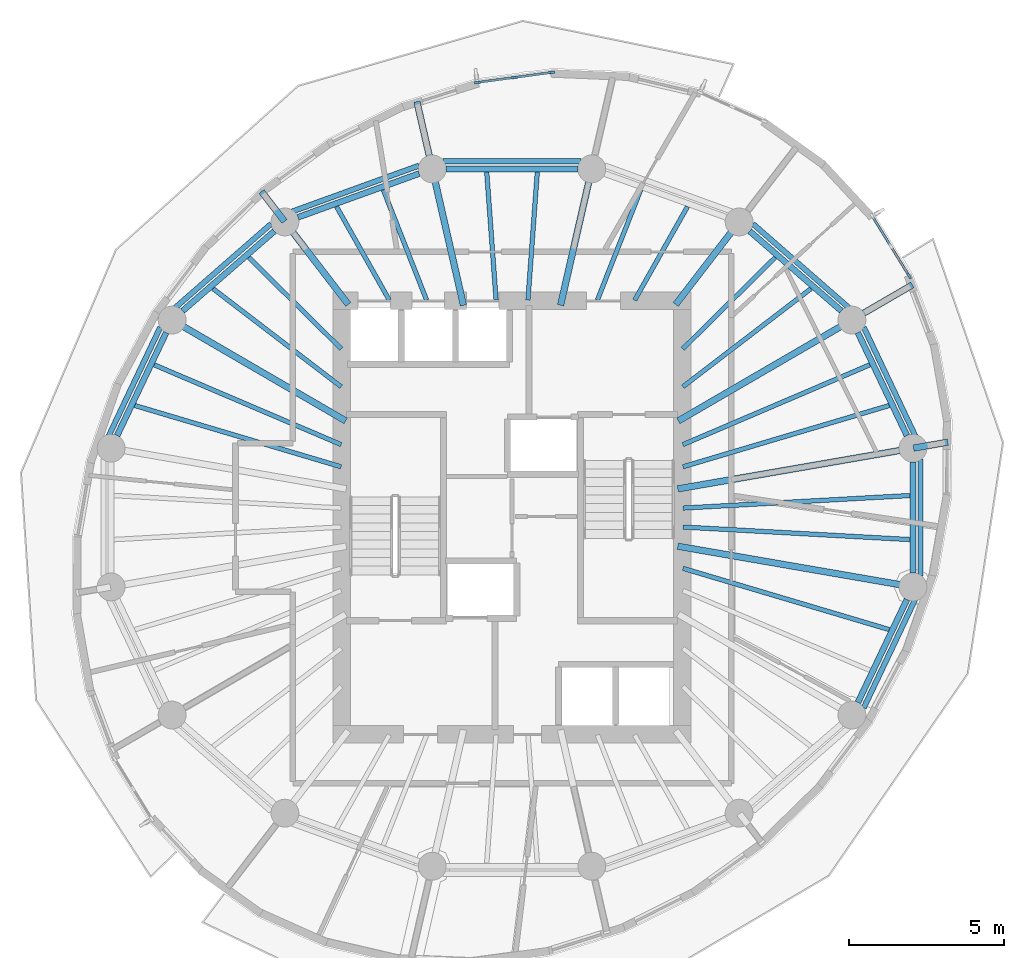
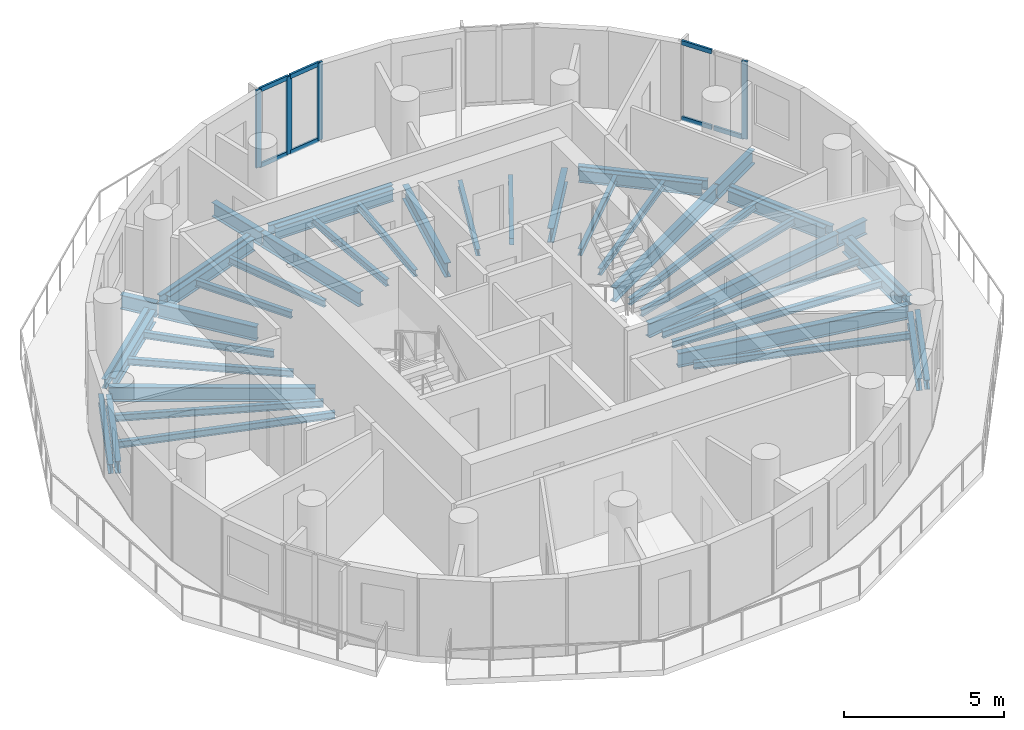
# One storey, part 2 of 10: 45 beams, 11 members, 2 elements without a shape of their own.
"""IFC4 building model written with IfcOpenShell, lengths in metres."""

from ifc_helpers import new_model, si_unit, direction, frame, origin, origin_2d, place, context, subcontext, project, spatial, rectangle, i_section, extrude, material, material_profile, profile_set, type_object, element, aggregate, save


model = new_model("IFC4")

# Units and contexts
model_context = context("Model", 3, precision=1e-05, world=origin(), true_north=direction((0.0, 1.0)))
body_context = subcontext(model_context, "Body", "Model", "MODEL_VIEW")
ifc_project = project(units=[si_unit("LENGTHUNIT", "METRE"), si_unit("AREAUNIT", "SQUARE_METRE"), si_unit("VOLUMEUNIT", "CUBIC_METRE"), si_unit("PLANEANGLEUNIT", "RADIAN"), si_unit("MASSUNIT", "GRAM", prefix="KILO")], contexts=[model_context])

# Site, building, storey
site_placement = place(None, origin())
site = spatial("IfcSite", under=ifc_project, at=site_placement, CompositionType="ELEMENT")
building_placement = place(site_placement, origin())
building = spatial("IfcBuilding", under=site, at=building_placement, Name="Veldorim Arch Residences", CompositionType="ELEMENT")
storey_placement = place(building_placement, frame((0.0, 0.0, 198.239990234375)))
storey = spatial("IfcBuildingStorey", under=building, at=storey_placement, Name="L59", CompositionType="ELEMENT", Elevation=198.239990234375)

# Beams
ifc_material_1 = material(Name="Steel S355", Category="steel")
ifc_material_profile_1 = material_profile(ifc_material_1, i_section(OverallWidth=0.2119140625, OverallDepth=0.54443359375, WebThickness=0.0126953125, FlangeThickness=0.021240234375, at=origin_2d()), Name="UB533x210x122")
ifc_profile_set_1 = profile_set([ifc_material_profile_1], Name="Steel S355")
beam_type_1 = type_object("IfcBeamType", Name="Structural Steel Beam UB533x210x122", PredefinedType="BEAM", material=ifc_profile_set_1)
beam_1_placement = place(storey_placement, frame((37.352294921875, 24.92578125, -0.51220703125), z_axis=(0.985364974081, 0.170457818401, 0.0), x_axis=(-0.170457818401, 0.985364974081, 0.0)))
element("IfcBeam", 1, at=beam_1_placement, inside=storey, type_object=beam_type_1, Name="L59 radial floor girder 01", PredefinedType="BEAM", context=body_context, shape_type="SweptSolid", body=[
    extrude(i_section(OverallWidth=0.2119140625, OverallDepth=0.54443359375, WebThickness=0.0126953125, FlangeThickness=0.021240234375, at=origin_2d()), origin(), (0.0, 0.0, 1.0), 7.68701171875),
])
beam_2_placement = place(storey_placement, frame((44.966064453125, 26.242919921875, -0.51220703125), z_axis=(0.985354711989, 0.170517129816, 0.0), x_axis=(-0.170517129816, 0.985354711989, 0.0)))
element("IfcBeam", 2, at=beam_2_placement, inside=storey, type_object=beam_type_1, Name="L59 radial edge cantilever girder 01", PredefinedType="BEAM", context=body_context, shape_type="SweptSolid", body=[
    extrude(i_section(OverallWidth=0.2119140625, OverallDepth=0.54443359375, WebThickness=0.0126953125, FlangeThickness=0.021240234375, at=origin_2d()), origin(), (0.0, 0.0, 1.0), 1.12548828125),
])
beam_3_placement = place(storey_placement, frame((37.370361328125, 27.12060546875, -0.51220703125), z_axis=(0.864595736304, 0.502468121142, 0.0), x_axis=(-0.502468121142, 0.864595736304, 0.0)))
element("IfcBeam", 3, at=beam_3_placement, inside=storey, type_object=beam_type_1, Name="L59 radial floor girder 02", PredefinedType="BEAM", context=body_context, shape_type="SweptSolid", body=[
    extrude(i_section(OverallWidth=0.2119140625, OverallDepth=0.54443359375, WebThickness=0.0126953125, FlangeThickness=0.021240234375, at=origin_2d()), origin(), (0.0, 0.0, 1.0), 6.462646484375),
])
beam_4_placement = place(storey_placement, frame((42.99267578125, 30.387939453125, -0.51220703125), z_axis=(0.86461626896, 0.502432788988, 0.0), x_axis=(-0.502432788988, 0.86461626896, 0.0)))
element("IfcBeam", 4, at=beam_4_placement, inside=storey, type_object=beam_type_1, Name="L59 radial edge cantilever girder 02", PredefinedType="BEAM", context=body_context, shape_type="SweptSolid", body=[
    extrude(i_section(OverallWidth=0.2119140625, OverallDepth=0.54443359375, WebThickness=0.0126953125, FlangeThickness=0.021240234375, at=origin_2d()), origin(), (0.0, 0.0, 1.0), 2.238525390625),
])
beam_5_placement = place(storey_placement, frame((37.28662109375, 30.881103515625, -0.51220703125), z_axis=(0.609258442308, 0.792971721108, 0.0), x_axis=(-0.792971721108, 0.609258442308, 0.0)))
element("IfcBeam", 5, at=beam_5_placement, inside=storey, type_object=beam_type_1, Name="L59 radial floor girder 03", PredefinedType="BEAM", context=body_context, shape_type="SweptSolid", body=[
    extrude(i_section(OverallWidth=0.2119140625, OverallDepth=0.54443359375, WebThickness=0.0126953125, FlangeThickness=0.021240234375, at=origin_2d()), origin(), (0.0, 0.0, 1.0), 3.339599609375),
])
for number, where, z_axis, x_axis, name in (
    (6, (33.567626953125, 30.853759765625, -0.51220703125), (0.222952976993, 0.97482920045, 0.0), (-0.97482920045, 0.222952976993, 0.0), "L59 radial floor girder 04"),
    (7, (30.432373046875, 30.853759765625, -0.51220703125), (-0.222952976993, 0.97482920045, 0.0), (-0.97482920045, -0.222952976993, 0.0), "L59 radial floor girder 05"),
):
    element("IfcBeam", number, at=place(storey_placement, frame(where, z_axis=z_axis, x_axis=x_axis)), inside=storey, type_object=beam_type_1, Name=name, PredefinedType="BEAM", context=body_context, shape_type="SweptSolid", body=[
        extrude(i_section(OverallWidth=0.2119140625, OverallDepth=0.54443359375, WebThickness=0.0126953125, FlangeThickness=0.021240234375, at=origin_2d()), origin(), (0.0, 0.0, 1.0), 4.49951171875),
    ])
beam_6_placement = place(storey_placement, frame((29.42041015625, 35.27880859375, -0.51220703125), z_axis=(-0.223010839713, 0.974815964872, 0.0), x_axis=(-0.974815964872, -0.223010839713, 0.0)))
element("IfcBeam", 8, at=beam_6_placement, inside=storey, type_object=beam_type_1, Name="L59 radial edge cantilever girder 05", PredefinedType="BEAM", context=body_context, shape_type="SweptSolid", body=[
    extrude(i_section(OverallWidth=0.2119140625, OverallDepth=0.54443359375, WebThickness=0.0126953125, FlangeThickness=0.021240234375, at=origin_2d()), origin(), (0.0, 0.0, 1.0), 2.209228515625),
])
beam_7_placement = place(storey_placement, frame((26.71337890625, 30.881103515625, -0.51220703125), z_axis=(-0.609258442308, 0.792971721108, 0.0), x_axis=(-0.792971721108, -0.609258442308, 0.0)))
element("IfcBeam", 9, at=beam_7_placement, inside=storey, type_object=beam_type_1, Name="L59 radial floor girder 06", PredefinedType="BEAM", context=body_context, shape_type="SweptSolid", body=[
    extrude(i_section(OverallWidth=0.2119140625, OverallDepth=0.54443359375, WebThickness=0.0126953125, FlangeThickness=0.021240234375, at=origin_2d()), origin(), (0.0, 0.0, 1.0), 3.339599609375),
])
beam_8_placement = place(storey_placement, frame((24.654296875, 33.561279296875, -0.51220703125), z_axis=(-0.609217205993, 0.793003402214, 0.0), x_axis=(-0.793003402214, -0.609217205993, 0.0)))
element("IfcBeam", 10, at=beam_8_placement, inside=storey, type_object=beam_type_1, Name="L59 radial edge cantilever girder 06", PredefinedType="BEAM", context=body_context, shape_type="SweptSolid", body=[
    extrude(i_section(OverallWidth=0.2119140625, OverallDepth=0.54443359375, WebThickness=0.0126953125, FlangeThickness=0.021240234375, at=origin_2d()), origin(), (0.0, 0.0, 1.0), 1.219482421875),
])
beam_9_placement = place(storey_placement, frame((26.629638671875, 27.12060546875, -0.51220703125), z_axis=(-0.864595736304, 0.502468121142, 0.0), x_axis=(-0.502468121142, -0.864595736304, 0.0)))
element("IfcBeam", 11, at=beam_9_placement, inside=storey, type_object=beam_type_1, Name="L59 radial floor girder 07", PredefinedType="BEAM", context=body_context, shape_type="SweptSolid", body=[
    extrude(i_section(OverallWidth=0.2119140625, OverallDepth=0.54443359375, WebThickness=0.0126953125, FlangeThickness=0.021240234375, at=origin_2d()), origin(), (0.0, 0.0, 1.0), 6.462646484375),
])
beam_10_placement = place(storey_placement, frame((37.352294921875, 23.07421875, -0.51220703125), z_axis=(0.985364974081, -0.170457818401, 0.0), x_axis=(0.170457818401, 0.985364974081, 0.0)))
element("IfcBeam", 12, at=beam_10_placement, inside=storey, type_object=beam_type_1, Name="L59 radial floor girder 16", PredefinedType="BEAM", context=body_context, shape_type="SweptSolid", body=[
    extrude(i_section(OverallWidth=0.2119140625, OverallDepth=0.54443359375, WebThickness=0.0126953125, FlangeThickness=0.021240234375, at=origin_2d()), origin(), (0.0, 0.0, 1.0), 7.68701171875),
])
ifc_material_2 = material(Name="Steel S355", Category="steel")
ifc_material_profile_2 = material_profile(ifc_material_2, i_section(OverallWidth=0.146484375, OverallDepth=0.256103515625, WebThickness=0.00634765625, FlangeThickness=0.010986328125, at=origin_2d()), Name="UB254x146x37")
ifc_profile_set_2 = profile_set([ifc_material_profile_2], Name="Steel S355")
beam_type_2 = type_object("IfcBeamType", Name="Structural Steel Joist UB254x146x37", PredefinedType="JOIST", material=ifc_profile_set_2)
beam_11_placement = place(storey_placement, frame((37.519287109375, 25.639404296875, -0.367919921875), z_axis=(0.958594432792, 0.284774846889, 0.0), x_axis=(-0.284774846889, 0.958594432792, 0.0)))
element("IfcBeam", 13, at=beam_11_placement, inside=storey, type_object=beam_type_2, Name="L59 secondary radial floor joist 01-1", PredefinedType="JOIST", context=body_context, shape_type="SweptSolid", body=[
    extrude(i_section(OverallWidth=0.146484375, OverallDepth=0.256103515625, WebThickness=0.00634765625, FlangeThickness=0.010986328125, at=origin_2d()), origin(), (0.0, 0.0, 1.0), 6.949462890625),
])
beam_12_placement = place(storey_placement, frame((37.518310546875, 26.355712890625, -0.367919921875), z_axis=(0.919725161652, 0.392562895629, 0.0), x_axis=(-0.392562895629, 0.919725161652, 0.0)))
element("IfcBeam", 14, at=beam_12_placement, inside=storey, type_object=beam_type_2, Name="L59 secondary radial floor joist 01-2", PredefinedType="JOIST", context=body_context, shape_type="SweptSolid", body=[
    extrude(i_section(OverallWidth=0.146484375, OverallDepth=0.256103515625, WebThickness=0.00634765625, FlangeThickness=0.010986328125, at=origin_2d()), origin(), (0.0, 0.0, 1.0), 6.5625),
])
beam_13_placement = place(storey_placement, frame((37.515869140625, 28.222900390625, -0.367919921875), z_axis=(0.794013672216, 0.607899899929, 0.0), x_axis=(-0.607899899929, 0.794013672216, 0.0)))
element("IfcBeam", 15, at=beam_13_placement, inside=storey, type_object=beam_type_2, Name="L59 secondary radial floor joist 02-1", PredefinedType="JOIST", context=body_context, shape_type="SweptSolid", body=[
    extrude(i_section(OverallWidth=0.146484375, OverallDepth=0.256103515625, WebThickness=0.00634765625, FlangeThickness=0.010986328125, at=origin_2d()), origin(), (0.0, 0.0, 1.0), 5.217041015625),
])
beam_14_placement = place(storey_placement, frame((37.51416015625, 29.44775390625, -0.367919921875), z_axis=(0.711396725432, 0.702790650937, 0.0), x_axis=(-0.702790650937, 0.711396725432, 0.0)))
element("IfcBeam", 16, at=beam_14_placement, inside=storey, type_object=beam_type_2, Name="L59 secondary radial floor joist 02-2", PredefinedType="JOIST", context=body_context, shape_type="SweptSolid", body=[
    extrude(i_section(OverallWidth=0.146484375, OverallDepth=0.256103515625, WebThickness=0.00634765625, FlangeThickness=0.010986328125, at=origin_2d()), origin(), (0.0, 0.0, 1.0), 4.198486328125),
])
beam_15_placement = place(storey_placement, frame((35.960205078125, 31.017333984375, -0.367919921875), z_axis=(0.491452469585, 0.870904397818, 0.0), x_axis=(-0.870904397818, 0.491452469585, 0.0)))
element("IfcBeam", 17, at=beam_15_placement, inside=storey, type_object=beam_type_2, Name="L59 secondary radial floor joist 03-1", PredefinedType="JOIST", context=body_context, shape_type="SweptSolid", body=[
    extrude(i_section(OverallWidth=0.146484375, OverallDepth=0.256103515625, WebThickness=0.00634765625, FlangeThickness=0.010986328125, at=origin_2d()), origin(), (0.0, 0.0, 1.0), 3.472412109375),
])
beam_16_placement = place(storey_placement, frame((34.75634765625, 31.0185546875, -0.367919921875), z_axis=(0.365581383042, 0.930779379001, 0.0), x_axis=(-0.930779379001, 0.365581383042, 0.0)))
element("IfcBeam", 18, at=beam_16_placement, inside=storey, type_object=beam_type_2, Name="L59 secondary radial floor joist 03-2", PredefinedType="JOIST", context=body_context, shape_type="SweptSolid", body=[
    extrude(i_section(OverallWidth=0.146484375, OverallDepth=0.256103515625, WebThickness=0.00634765625, FlangeThickness=0.010986328125, at=origin_2d()), origin(), (0.0, 0.0, 1.0), 3.83056640625),
])
for number, where, z_axis, x_axis, name in (
    (19, (32.513916015625, 31.02001953125, -0.367919921875), (0.072985625899, 0.997332992742, 0.0), (-0.997332992742, 0.072985625899, 0.0), "L59 secondary radial floor joist 04-1"),
    (20, (31.486083984375, 31.02001953125, -0.367919921875), (-0.072985625899, 0.997332992742, 0.0), (-0.997332992742, -0.072985625899, 0.0), "L59 secondary radial floor joist 04-2"),
):
    element("IfcBeam", number, at=place(storey_placement, frame(where, z_axis=z_axis, x_axis=x_axis)), inside=storey, type_object=beam_type_2, Name=name, PredefinedType="JOIST", context=body_context, shape_type="SweptSolid", body=[
        extrude(i_section(OverallWidth=0.146484375, OverallDepth=0.256103515625, WebThickness=0.00634765625, FlangeThickness=0.010986328125, at=origin_2d()), origin(), (0.0, 0.0, 1.0), 4.151123046875),
    ])
beam_17_placement = place(storey_placement, frame((29.24365234375, 31.0185546875, -0.367919921875), z_axis=(-0.365581383042, 0.930779379001, 0.0), x_axis=(-0.930779379001, -0.365581383042, 0.0)))
element("IfcBeam", 21, at=beam_17_placement, inside=storey, type_object=beam_type_2, Name="L59 secondary radial floor joist 05-1", PredefinedType="JOIST", context=body_context, shape_type="SweptSolid", body=[
    extrude(i_section(OverallWidth=0.146484375, OverallDepth=0.256103515625, WebThickness=0.00634765625, FlangeThickness=0.010986328125, at=origin_2d()), origin(), (0.0, 0.0, 1.0), 3.83056640625),
])
beam_18_placement = place(storey_placement, frame((28.039794921875, 31.017333984375, -0.367919921875), z_axis=(-0.491452469585, 0.870904397818, 0.0), x_axis=(-0.870904397818, -0.491452469585, 0.0)))
element("IfcBeam", 22, at=beam_18_placement, inside=storey, type_object=beam_type_2, Name="L59 secondary radial floor joist 05-2", PredefinedType="JOIST", context=body_context, shape_type="SweptSolid", body=[
    extrude(i_section(OverallWidth=0.146484375, OverallDepth=0.256103515625, WebThickness=0.00634765625, FlangeThickness=0.010986328125, at=origin_2d()), origin(), (0.0, 0.0, 1.0), 3.472412109375),
])
beam_19_placement = place(storey_placement, frame((26.48583984375, 29.44775390625, -0.367919921875), z_axis=(-0.711396725432, 0.702790650937, 0.0), x_axis=(-0.702790650937, -0.711396725432, 0.0)))
element("IfcBeam", 23, at=beam_19_placement, inside=storey, type_object=beam_type_2, Name="L59 secondary radial floor joist 06-1", PredefinedType="JOIST", context=body_context, shape_type="SweptSolid", body=[
    extrude(i_section(OverallWidth=0.146484375, OverallDepth=0.256103515625, WebThickness=0.00634765625, FlangeThickness=0.010986328125, at=origin_2d()), origin(), (0.0, 0.0, 1.0), 4.198486328125),
])
beam_20_placement = place(storey_placement, frame((26.484130859375, 28.222900390625, -0.367919921875), z_axis=(-0.794013672216, 0.607899899929, 0.0), x_axis=(-0.607899899929, -0.794013672216, 0.0)))
element("IfcBeam", 24, at=beam_20_placement, inside=storey, type_object=beam_type_2, Name="L59 secondary radial floor joist 06-2", PredefinedType="JOIST", context=body_context, shape_type="SweptSolid", body=[
    extrude(i_section(OverallWidth=0.146484375, OverallDepth=0.256103515625, WebThickness=0.00634765625, FlangeThickness=0.010986328125, at=origin_2d()), origin(), (0.0, 0.0, 1.0), 5.217041015625),
])
beam_21_placement = place(storey_placement, frame((26.481689453125, 26.355712890625, -0.367919921875), z_axis=(-0.919725161652, 0.392562895629, 0.0), x_axis=(-0.392562895629, -0.919725161652, 0.0)))
element("IfcBeam", 25, at=beam_21_placement, inside=storey, type_object=beam_type_2, Name="L59 secondary radial floor joist 07-1", PredefinedType="JOIST", context=body_context, shape_type="SweptSolid", body=[
    extrude(i_section(OverallWidth=0.146484375, OverallDepth=0.256103515625, WebThickness=0.00634765625, FlangeThickness=0.010986328125, at=origin_2d()), origin(), (0.0, 0.0, 1.0), 6.5625),
])
for number, where, z_axis, x_axis, name in (
    (26, (26.480712890625, 25.639404296875, -0.367919921875), (-0.958594432792, 0.284774846889, 0.0), (-0.284774846889, -0.958594432792, 0.0), "L59 secondary radial floor joist 07-2"),
    (27, (37.519287109375, 22.360595703125, -0.367919921875), (0.958594432792, -0.284774846889, 0.0), (0.284774846889, 0.958594432792, 0.0), "L59 secondary radial floor joist 15-2"),
):
    element("IfcBeam", number, at=place(storey_placement, frame(where, z_axis=z_axis, x_axis=x_axis)), inside=storey, type_object=beam_type_2, Name=name, PredefinedType="JOIST", context=body_context, shape_type="SweptSolid", body=[
        extrude(i_section(OverallWidth=0.146484375, OverallDepth=0.256103515625, WebThickness=0.00634765625, FlangeThickness=0.010986328125, at=origin_2d()), origin(), (0.0, 0.0, 1.0), 6.949462890625),
    ])
for number, where, z_axis, x_axis, name in (
    (28, (37.52001953125, 23.6943359375, -0.367919921875), (0.998472000884, -0.055259962464, 0.0), (0.055259962464, 0.998472000884, 0.0), "L59 secondary radial floor joist 16-1"),
    (29, (37.52001953125, 24.3056640625, -0.367919921875), (0.998472000884, 0.055259962464, 0.0), (-0.055259962464, 0.998472000884, 0.0), "L59 secondary radial floor joist 16-2"),
):
    element("IfcBeam", number, at=place(storey_placement, frame(where, z_axis=z_axis, x_axis=x_axis)), inside=storey, type_object=beam_type_2, Name=name, PredefinedType="JOIST", context=body_context, shape_type="SweptSolid", body=[
        extrude(i_section(OverallWidth=0.146484375, OverallDepth=0.256103515625, WebThickness=0.00634765625, FlangeThickness=0.010986328125, at=origin_2d()), origin(), (0.0, 0.0, 1.0), 7.33837890625),
    ])
ifc_material_3 = material(Name="Steel S355", Category="steel")
ifc_material_profile_3 = material_profile(ifc_material_3, i_section(OverallWidth=0.172119140625, OverallDepth=0.35791015625, WebThickness=0.008056640625, FlangeThickness=0.012939453125, at=origin_2d()), Name="UB356x171x57")
ifc_profile_set_3 = profile_set([ifc_material_profile_3], Name="Steel S355")
beam_type_3 = type_object("IfcBeamType", Name="Structural Steel Spandrel UB356x171x57", PredefinedType="SPANDREL", material=ifc_profile_set_3)
beam_22_placement = place(storey_placement, frame((45.0205078125, 26.6396484375, -0.43896484375), z_axis=(-0.428408308939, 0.903585259304, 0.0), x_axis=(-0.903585259304, -0.428408308939, 0.0)))
element("IfcBeam", 30, at=beam_22_placement, inside=storey, type_object=beam_type_3, Name="L59 perimeter chord spandrel beam 01", PredefinedType="SPANDREL", context=body_context, shape_type="SweptSolid", body=[
    extrude(i_section(OverallWidth=0.172119140625, OverallDepth=0.35791015625, WebThickness=0.008056640625, FlangeThickness=0.012939453125, at=origin_2d()), origin(), (0.0, 0.0, 1.0), 3.878662109375),
])
beam_23_placement = place(storey_placement, frame((42.891357421875, 30.762939453125, -0.43896484375), z_axis=(-0.752847646119, 0.6581948205, 0.0), x_axis=(-0.6581948205, -0.752847646119, 0.0)))
element("IfcBeam", 31, at=beam_23_placement, inside=storey, type_object=beam_type_3, Name="L59 perimeter chord spandrel beam 02", PredefinedType="SPANDREL", context=body_context, shape_type="SweptSolid", body=[
    extrude(i_section(OverallWidth=0.172119140625, OverallDepth=0.35791015625, WebThickness=0.008056640625, FlangeThickness=0.012939453125, at=origin_2d()), origin(), (0.0, 0.0, 1.0), 4.12939453125),
])
beam_24_placement = place(storey_placement, frame((34.234375, 35.500732421875, -0.43896484375), z_axis=(-1.0, 0.0, 0.0), x_axis=(0.0, -1.0, 0.0)))
element("IfcBeam", 32, at=beam_24_placement, inside=storey, type_object=beam_type_3, Name="L59 perimeter chord spandrel beam 04", PredefinedType="SPANDREL", context=body_context, shape_type="SweptSolid", body=[
    extrude(i_section(OverallWidth=0.172119140625, OverallDepth=0.35791015625, WebThickness=0.008056640625, FlangeThickness=0.012939453125, at=origin_2d()), origin(), (0.0, 0.0, 1.0), 4.46875),
])
beam_25_placement = place(storey_placement, frame((28.997314453125, 35.36572265625, -0.43896484375), z_axis=(-0.940164695555, -0.340720332871, 0.0), x_axis=(0.340720332871, -0.940164695555, 0.0)))
element("IfcBeam", 33, at=beam_25_placement, inside=storey, type_object=beam_type_3, Name="L59 perimeter chord spandrel beam 05", PredefinedType="SPANDREL", context=body_context, shape_type="SweptSolid", body=[
    extrude(i_section(OverallWidth=0.172119140625, OverallDepth=0.35791015625, WebThickness=0.008056640625, FlangeThickness=0.012939453125, at=origin_2d()), origin(), (0.0, 0.0, 1.0), 4.370849609375),
])
beam_26_placement = place(storey_placement, frame((24.217529296875, 33.48095703125, -0.43896484375), z_axis=(-0.752847646119, -0.6581948205, 0.0), x_axis=(0.6581948205, -0.752847646119, 0.0)))
element("IfcBeam", 34, at=beam_26_placement, inside=storey, type_object=beam_type_3, Name="L59 perimeter chord spandrel beam 06", PredefinedType="SPANDREL", context=body_context, shape_type="SweptSolid", body=[
    extrude(i_section(OverallWidth=0.172119140625, OverallDepth=0.35791015625, WebThickness=0.008056640625, FlangeThickness=0.012939453125, at=origin_2d()), origin(), (0.0, 0.0, 1.0), 4.12939453125),
])
for number, where, z_axis, x_axis, name in (
    (35, (20.64111328125, 30.144287109375, -0.43896484375), (-0.428408308939, -0.903585259304, 0.0), (0.903585259304, -0.428408308939, 0.0), "L59 perimeter chord spandrel beam 07"),
    (36, (43.35888671875, 17.855712890625, -0.43896484375), (0.428408308939, 0.903585259304, 0.0), (-0.903585259304, 0.428408308939, 0.0), "L59 perimeter chord spandrel beam 15"),
):
    element("IfcBeam", number, at=place(storey_placement, frame(where, z_axis=z_axis, x_axis=x_axis)), inside=storey, type_object=beam_type_3, Name=name, PredefinedType="SPANDREL", context=body_context, shape_type="SweptSolid", body=[
        extrude(i_section(OverallWidth=0.172119140625, OverallDepth=0.35791015625, WebThickness=0.008056640625, FlangeThickness=0.012939453125, at=origin_2d()), origin(), (0.0, 0.0, 1.0), 3.878662109375),
    ])
beam_27_placement = place(storey_placement, frame((45.190185546875, 22.1142578125, -0.43896484375), z_axis=(0.0, 1.0, 0.0), x_axis=(-1.0, 0.0, 0.0)))
element("IfcBeam", 37, at=beam_27_placement, inside=storey, type_object=beam_type_3, Name="L59 perimeter chord spandrel beam 16", PredefinedType="SPANDREL", context=body_context, shape_type="SweptSolid", body=[
    extrude(i_section(OverallWidth=0.172119140625, OverallDepth=0.35791015625, WebThickness=0.008056640625, FlangeThickness=0.012939453125, at=origin_2d()), origin(), (0.0, 0.0, 1.0), 3.771484375),
])
ifc_material_4 = material(Name="Steel S355", Category="steel")
ifc_material_profile_4 = material_profile(ifc_material_4, i_section(OverallWidth=0.19140625, OverallDepth=0.4599609375, WebThickness=0.010009765625, FlangeThickness=0.01611328125, at=origin_2d()), Name="UB457x191x82")
ifc_profile_set_4 = profile_set([ifc_material_profile_4], Name="Steel S355")
beam_type_4 = type_object("IfcBeamType", Name="Structural Steel Spandrel UB457x191x82", PredefinedType="SPANDREL", material=ifc_profile_set_4)
beam_28_placement = place(storey_placement, frame((44.7529296875, 26.64599609375, -0.469970703125), z_axis=(-0.430005613988, 0.902826213586, 0.0), x_axis=(-0.902826213586, -0.430005613988, 0.0)))
element("IfcBeam", 38, at=beam_28_placement, inside=storey, type_object=beam_type_4, Name="L59 perimeter ring tie beam 01", PredefinedType="SPANDREL", context=body_context, shape_type="SweptSolid", body=[
    extrude(i_section(OverallWidth=0.19140625, OverallDepth=0.4599609375, WebThickness=0.010009765625, FlangeThickness=0.01611328125, at=origin_2d()), origin(), (0.0, 0.0, 1.0), 3.68359375),
])
beam_29_placement = place(storey_placement, frame((42.635986328125, 30.673095703125, -0.469970703125), z_axis=(-0.754545285701, 0.656247980436, 0.0), x_axis=(-0.656247980436, -0.754545285701, 0.0)))
element("IfcBeam", 39, at=beam_29_placement, inside=storey, type_object=beam_type_4, Name="L59 perimeter ring tie beam 02", PredefinedType="SPANDREL", context=body_context, shape_type="SweptSolid", body=[
    extrude(i_section(OverallWidth=0.19140625, OverallDepth=0.4599609375, WebThickness=0.010009765625, FlangeThickness=0.01611328125, at=origin_2d()), origin(), (0.0, 0.0, 1.0), 3.9267578125),
])
beam_30_placement = place(storey_placement, frame((34.125244140625, 35.259521484375, -0.469970703125), z_axis=(-1.0, 0.0, 0.0), x_axis=(0.0, -1.0, 0.0)))
element("IfcBeam", 40, at=beam_30_placement, inside=storey, type_object=beam_type_4, Name="L59 perimeter ring tie beam 04", PredefinedType="SPANDREL", context=body_context, shape_type="SweptSolid", body=[
    extrude(i_section(OverallWidth=0.19140625, OverallDepth=0.4599609375, WebThickness=0.010009765625, FlangeThickness=0.01611328125, at=origin_2d()), origin(), (0.0, 0.0, 1.0), 4.25048828125),
])
beam_31_placement = place(storey_placement, frame((29.00146484375, 35.10693359375, -0.469970703125), z_axis=(-0.940811035395, -0.338931550137, 0.0), x_axis=(0.338931550137, -0.940811035395, 0.0)))
element("IfcBeam", 41, at=beam_31_placement, inside=storey, type_object=beam_type_4, Name="L59 perimeter ring tie beam 05", PredefinedType="SPANDREL", context=body_context, shape_type="SweptSolid", body=[
    extrude(i_section(OverallWidth=0.19140625, OverallDepth=0.4599609375, WebThickness=0.010009765625, FlangeThickness=0.01611328125, at=origin_2d()), origin(), (0.0, 0.0, 1.0), 4.15771484375),
])
beam_32_placement = place(storey_placement, frame((24.326904296875, 33.25, -0.469970703125), z_axis=(-0.754545285701, -0.656247980436, 0.0), x_axis=(0.656247980436, -0.754545285701, 0.0)))
element("IfcBeam", 42, at=beam_32_placement, inside=storey, type_object=beam_type_4, Name="L59 perimeter ring tie beam 06", PredefinedType="SPANDREL", context=body_context, shape_type="SweptSolid", body=[
    extrude(i_section(OverallWidth=0.19140625, OverallDepth=0.4599609375, WebThickness=0.010009765625, FlangeThickness=0.01611328125, at=origin_2d()), origin(), (0.0, 0.0, 1.0), 3.9267578125),
])
for number, where, z_axis, x_axis, name in (
    (43, (20.8310546875, 29.9716796875, -0.469970703125), (-0.430005613988, -0.902826213586, 0.0), (0.902826213586, -0.430005613988, 0.0), "L59 perimeter ring tie beam 07"),
    (44, (43.1689453125, 18.0283203125, -0.469970703125), (0.430005613988, 0.902826213586, 0.0), (-0.902826213586, 0.430005613988, 0.0), "L59 perimeter ring tie beam 15"),
):
    element("IfcBeam", number, at=place(storey_placement, frame(where, z_axis=z_axis, x_axis=x_axis)), inside=storey, type_object=beam_type_4, Name=name, PredefinedType="SPANDREL", context=body_context, shape_type="SweptSolid", body=[
        extrude(i_section(OverallWidth=0.19140625, OverallDepth=0.4599609375, WebThickness=0.010009765625, FlangeThickness=0.01611328125, at=origin_2d()), origin(), (0.0, 0.0, 1.0), 3.68359375),
    ])
beam_33_placement = place(storey_placement, frame((44.9462890625, 22.21044921875, -0.469970703125), z_axis=(0.0, 1.0, 0.0), x_axis=(-1.0, 0.0, 0.0)))
element("IfcBeam", 45, at=beam_33_placement, inside=storey, type_object=beam_type_4, Name="L59 perimeter ring tie beam 16", PredefinedType="SPANDREL", context=body_context, shape_type="SweptSolid", body=[
    extrude(i_section(OverallWidth=0.19140625, OverallDepth=0.4599609375, WebThickness=0.010009765625, FlangeThickness=0.01611328125, at=origin_2d()), origin(), (0.0, 0.0, 1.0), 3.5791015625),
])

# Curtain wall, members
ifc_material_5 = material(Name="Aluminium", Category="aluminium")
curtain_wall_type = type_object("IfcCurtainWallType", Name="Zone 4 High-Altitude Unitised Curtain Wall", PredefinedType="NOTDEFINED", material=ifc_material_5)
curtain_wall_1_placement = place(storey_placement, origin())
curtain_wall_1 = element("IfcCurtainWall", 46, at=curtain_wall_1_placement, inside=storey, type_object=curtain_wall_type, Name="L59 unitised curtain wall bay 05", PredefinedType="NOTDEFINED")
ifc_material_6 = material(Name="Aluminium", Category="aluminium")
ifc_material_profile_5 = material_profile(ifc_material_6, rectangle(XDim=0.074951171875, YDim=0.195068359375, at=origin_2d()), Name="ALU_MUL_75x195")
ifc_profile_set_5 = profile_set([ifc_material_profile_5], Name="Aluminium")
member_type_1 = type_object("IfcMemberType", Name="Zone 4 High-Altitude Unitised Curtain Wall Mullion 75x195", PredefinedType="MULLION", material=ifc_profile_set_5)
member_1_placement = place(storey_placement, frame((30.878173828125, 38.0478515625, 0.0), z_axis=(0.0, 0.0, 1.0), x_axis=(-0.134244609331, 0.990948225119, 0.0)))
member_1 = element("IfcMember", 47, at=member_1_placement, type_object=member_type_1, Name="CW-Z4 mullion 1", PredefinedType="MULLION", context=body_context, shape_type="SweptSolid", body=[
    extrude(rectangle(XDim=0.074951171875, YDim=0.195068359375, at=origin_2d()), origin(), (0.0, 0.0, 1.0), 2.9599609375),
])
member_2_placement = place(storey_placement, frame((32.08056640625, 38.2109375, 0.0), z_axis=(0.0, 0.0, 1.0), x_axis=(-0.134244609331, 0.990948225119, 0.0)))
member_2 = element("IfcMember", 48, at=member_2_placement, type_object=member_type_1, Name="CW-Z4 mullion 2", PredefinedType="MULLION", context=body_context, shape_type="SweptSolid", body=[
    extrude(rectangle(XDim=0.074951171875, YDim=0.195068359375, at=origin_2d()), origin(), (0.0, 0.0, 1.0), 2.9599609375),
])
member_3_placement = place(storey_placement, frame((33.283203125, 38.373779296875, 0.0), z_axis=(0.0, 0.0, 1.0), x_axis=(-0.134244609331, 0.990948225119, 0.0)))
member_3 = element("IfcMember", 49, at=member_3_placement, type_object=member_type_1, Name="CW-Z4 mullion 3", PredefinedType="MULLION", context=body_context, shape_type="SweptSolid", body=[
    extrude(rectangle(XDim=0.074951171875, YDim=0.195068359375, at=origin_2d()), origin(), (0.0, 0.0, 1.0), 2.9599609375),
])

# Curtain wall, member
curtain_wall_2_placement = place(storey_placement, origin())
curtain_wall_2 = element("IfcCurtainWall", 50, at=curtain_wall_2_placement, inside=storey, type_object=curtain_wall_type, Name="L59 unitised curtain wall bay 35", PredefinedType="NOTDEFINED")
member_4_placement = place(storey_placement, frame((44.824951171875, 31.7978515625, 0.0), z_axis=(0.0, 0.0, 1.0), x_axis=(0.851801663929, 0.523864415023, 0.0)))
member_4 = element("IfcMember", 51, at=member_4_placement, type_object=member_type_1, Name="CW-Z4 mullion 3", PredefinedType="MULLION", context=body_context, shape_type="SweptSolid", body=[
    extrude(rectangle(XDim=0.074951171875, YDim=0.195068359375, at=origin_2d()), origin(), (0.0, 0.0, 1.0), 2.9599609375),
])

# Member
ifc_material_7 = material(Name="Aluminium", Category="aluminium")
ifc_material_profile_6 = material_profile(ifc_material_7, rectangle(XDim=0.074951171875, YDim=0.1650390625, at=origin_2d()), Name="ALU_TRN_75x165")
ifc_profile_set_6 = profile_set([ifc_material_profile_6], Name="Aluminium")
member_type_2 = type_object("IfcMemberType", Name="Zone 4 High-Altitude Unitised Curtain Wall Transom 75x165", PredefinedType="USERDEFINED", material=ifc_profile_set_6)
member_5_placement = place(storey_placement, frame((30.915283203125, 38.052978515625, 0.03759765625), z_axis=(0.99094853461, 0.134242324749, 0.0), x_axis=(-0.134242324749, 0.99094853461, 0.0)))
member_5 = element("IfcMember", 52, at=member_5_placement, type_object=member_type_2, Name="CW-Z4 transom 1.1", ObjectType="TRANSOM", PredefinedType="USERDEFINED", context=body_context, shape_type="SweptSolid", body=[
    extrude(rectangle(XDim=0.074951171875, YDim=0.1650390625, at=origin_2d()), origin(), (0.0, 0.0, 1.0), 1.138427734375),
])

member_6_placement = place(storey_placement, frame((30.915283203125, 38.052978515625, 2.922607421875), z_axis=(0.99094853461, 0.134242324749, 0.0), x_axis=(-0.134242324749, 0.99094853461, 0.0)))
member_6 = element("IfcMember", 53, at=member_6_placement, type_object=member_type_2, Name="CW-Z4 transom 1.2", ObjectType="TRANSOM", PredefinedType="USERDEFINED", context=body_context, shape_type="SweptSolid", body=[
    extrude(rectangle(XDim=0.074951171875, YDim=0.1650390625, at=origin_2d()), origin(), (0.0, 0.0, 1.0), 1.138427734375),
])

member_7_placement = place(storey_placement, frame((32.117919921875, 38.2158203125, 0.03759765625), z_axis=(0.99094853461, 0.134242324749, 0.0), x_axis=(-0.134242324749, 0.99094853461, 0.0)))
member_7 = element("IfcMember", 54, at=member_7_placement, type_object=member_type_2, Name="CW-Z4 transom 2.1", ObjectType="TRANSOM", PredefinedType="USERDEFINED", context=body_context, shape_type="SweptSolid", body=[
    extrude(rectangle(XDim=0.074951171875, YDim=0.1650390625, at=origin_2d()), origin(), (0.0, 0.0, 1.0), 1.138427734375),
])

member_8_placement = place(storey_placement, frame((32.117919921875, 38.2158203125, 2.922607421875), z_axis=(0.99094853461, 0.134242324749, 0.0), x_axis=(-0.134242324749, 0.99094853461, 0.0)))
member_8 = element("IfcMember", 55, at=member_8_placement, type_object=member_type_2, Name="CW-Z4 transom 2.2", ObjectType="TRANSOM", PredefinedType="USERDEFINED", context=body_context, shape_type="SweptSolid", body=[
    extrude(rectangle(XDim=0.074951171875, YDim=0.1650390625, at=origin_2d()), origin(), (0.0, 0.0, 1.0), 1.138427734375),
])

aggregate(curtain_wall_1, [member_1, member_2, member_3, member_5, member_6, member_7, member_8])

member_9_placement = place(storey_placement, frame((43.654541015625, 33.700927734375, 0.03759765625), z_axis=(0.523840572691, -0.851816326682, 0.0), x_axis=(0.851816326682, 0.523840572691, 0.0)))
member_9 = element("IfcMember", 56, at=member_9_placement, type_object=member_type_2, Name="CW-Z4 transom 1.1", ObjectType="TRANSOM", PredefinedType="USERDEFINED", context=body_context, shape_type="SweptSolid", body=[
    extrude(rectangle(XDim=0.074951171875, YDim=0.1650390625, at=origin_2d()), origin(), (0.0, 0.0, 1.0), 1.060791015625),
])

member_10_placement = place(storey_placement, frame((43.654541015625, 33.700927734375, 2.922607421875), z_axis=(0.523840572691, -0.851816326682, 0.0), x_axis=(0.851816326682, 0.523840572691, 0.0)))
member_10 = element("IfcMember", 57, at=member_10_placement, type_object=member_type_2, Name="CW-Z4 transom 1.2", ObjectType="TRANSOM", PredefinedType="USERDEFINED", context=body_context, shape_type="SweptSolid", body=[
    extrude(rectangle(XDim=0.074951171875, YDim=0.1650390625, at=origin_2d()), origin(), (0.0, 0.0, 1.0), 1.060791015625),
])

member_11_placement = place(storey_placement, frame((44.24951171875, 32.7333984375, 0.03759765625), z_axis=(0.524007543384, -0.851713622338, 0.0), x_axis=(0.851713622338, 0.524007543384, 0.0)))
member_11 = element("IfcMember", 58, at=member_11_placement, type_object=member_type_2, Name="CW-Z4 transom 2.1", ObjectType="TRANSOM", PredefinedType="USERDEFINED", context=body_context, shape_type="SweptSolid", body=[
    extrude(rectangle(XDim=0.074951171875, YDim=0.1650390625, at=origin_2d()), origin(), (0.0, 0.0, 1.0), 1.060791015625),
])

aggregate(curtain_wall_2, [member_4, member_9, member_10, member_11])

save(model, "model.ifc")
